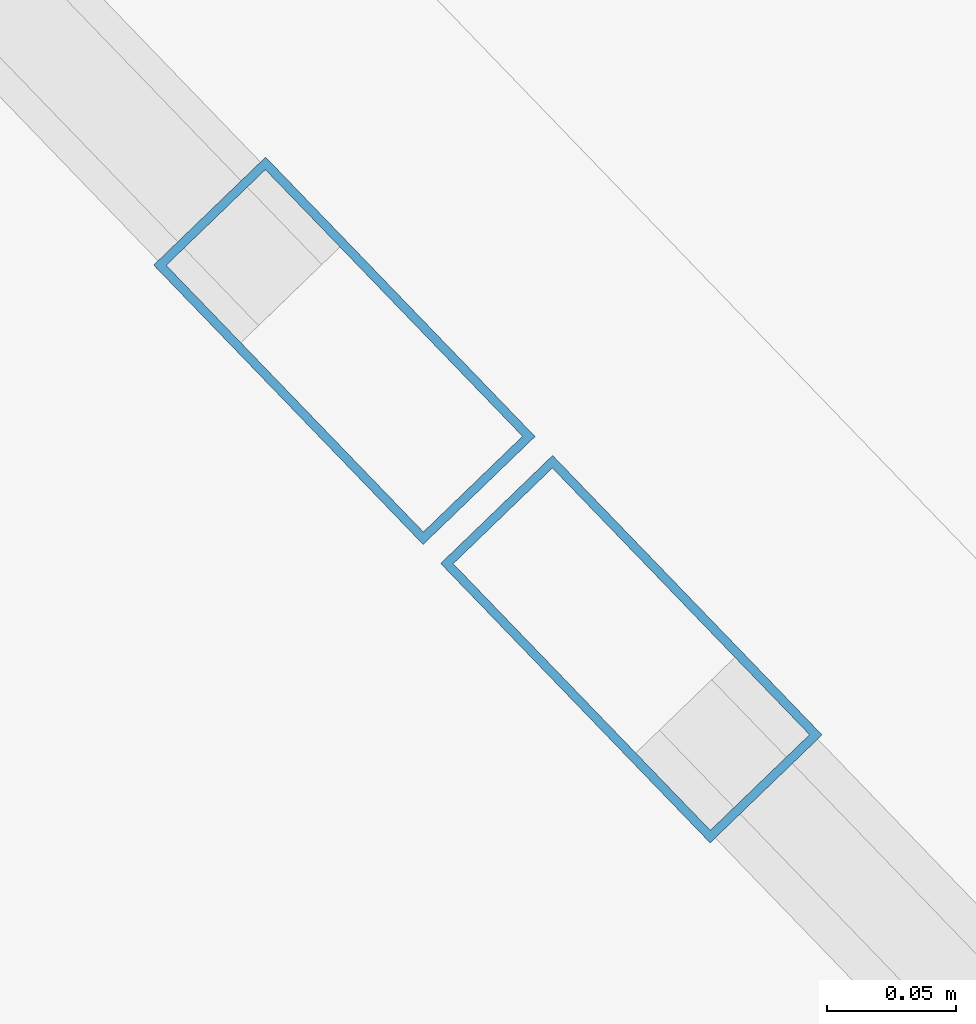
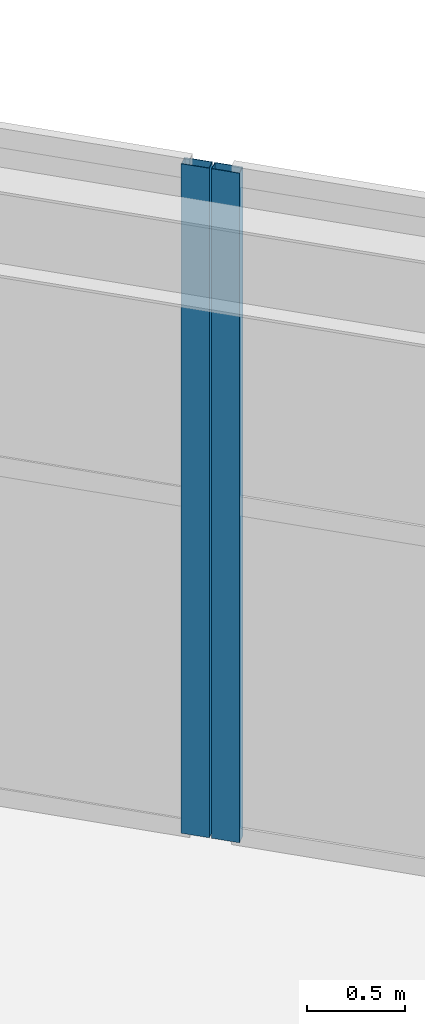
# One storey, part 88 of 126: 2 members, 2 elements without a shape of their own.
"""IFC4 building model written with IfcOpenShell, lengths in metres."""

from ifc_helpers import new_model, si_unit, direction, frame, origin, origin_2d, place, context, subcontext, project, spatial, hollow_rectangle, extrude, material, layer, layer_set, material_profile, profile_set, type_object, element, aggregate, save


model = new_model("IFC4")

# Units and contexts
model_context = context("Model", 3, precision=1e-05, world=origin(), true_north=direction((0.0, 1.0)))
body_context = subcontext(model_context, "Body", "Model", "MODEL_VIEW")
ifc_project = project(units=[si_unit("LENGTHUNIT", "METRE"), si_unit("AREAUNIT", "SQUARE_METRE"), si_unit("VOLUMEUNIT", "CUBIC_METRE"), si_unit("PLANEANGLEUNIT", "RADIAN"), si_unit("MASSUNIT", "GRAM", prefix="KILO")], contexts=[model_context])

# Site, building, storey
site_placement = place(None, origin())
site = spatial("IfcSite", under=ifc_project, at=site_placement, CompositionType="ELEMENT")
building_placement = place(site_placement, origin())
building = spatial("IfcBuilding", under=site, at=building_placement, Name="Kalgoora Escarpment Arena", CompositionType="ELEMENT")
storey_placement = place(building_placement, frame((0.0, 0.0, 18.89990234375)))
storey = spatial("IfcBuildingStorey", under=building, at=storey_placement, Name="L04", CompositionType="ELEMENT", Elevation=18.89990234375)

# Curtain wall, member
ifc_material_1 = material(Name=" Champagne anodised aluminium & double-glazed low-E", Category="aluminium")
ifc_layer_1 = layer(ifc_material_1, 0.154052734375)
ifc_layer_set_1 = layer_set([ifc_layer_1], Name="CW-UNIT-16")
curtain_wall_type_1 = type_object("IfcCurtainWallType", Name="CW-UNIT-16", PredefinedType="NOTDEFINED", material=ifc_layer_set_1)
curtain_wall_1_placement = place(storey_placement, origin())
curtain_wall_1 = element("IfcCurtainWall", 1, at=curtain_wall_1_placement, inside=storey, type_object=curtain_wall_type_1, Name="L04 unitised facade curtain wall 175", PredefinedType="NOTDEFINED")
ifc_material_2 = material(Name="Anodised aluminium 6063-T6", Category="aluminium")
ifc_material_profile = material_profile(ifc_material_2, hollow_rectangle(XDim=0.06005859375, YDim=0.14990234375, WallThickness=0.00341796875, at=origin_2d()))
ifc_profile_set = profile_set([ifc_material_profile], Name="Anodised aluminium 6063-T6")
member_type = type_object("IfcMemberType", Name="MEM-CW-MULL-150", PredefinedType="MULLION", material=ifc_profile_set)
member_1_placement = place(storey_placement, frame((149.20556640625, 98.739013671875, 0.02001953125), z_axis=(0.0, 0.0, 1.0), x_axis=(0.719777208849, 0.694205135116, 0.0)))
member_1 = element("IfcMember", 2, at=member_1_placement, type_object=member_type, Name="CW-16 mullion 2", PredefinedType="MULLION", context=body_context, shape_type="SweptSolid", body=[
    extrude(hollow_rectangle(XDim=0.06005859375, YDim=0.14990234375, WallThickness=0.00341796875, at=origin_2d()), origin(), (0.0, 0.0, 1.0), 4.150146484375),
])
aggregate(curtain_wall_1, [member_1])

ifc_material_3 = material(Name=" Champagne anodised aluminium & double-glazed low-E", Category="aluminium")
ifc_layer_2 = layer(ifc_material_3, 0.157958984375)
ifc_layer_set_2 = layer_set([ifc_layer_2], Name="CW-UNIT-17")
curtain_wall_type_2 = type_object("IfcCurtainWallType", Name="CW-UNIT-17", PredefinedType="NOTDEFINED", material=ifc_layer_set_2)
curtain_wall_2_placement = place(storey_placement, origin())
curtain_wall_2 = element("IfcCurtainWall", 3, at=curtain_wall_2_placement, inside=storey, type_object=curtain_wall_type_2, Name="L04 unitised facade curtain wall 176", PredefinedType="NOTDEFINED")
member_2_placement = place(storey_placement, frame((149.31640625, 98.623779296875, 0.02001953125), z_axis=(0.0, 0.0, 1.0), x_axis=(0.719777208849, 0.694205135116, 0.0)))
member_2 = element("IfcMember", 4, at=member_2_placement, type_object=member_type, Name="CW-17 mullion 1", PredefinedType="MULLION", context=body_context, shape_type="SweptSolid", body=[
    extrude(hollow_rectangle(XDim=0.06005859375, YDim=0.14990234375, WallThickness=0.00341796875, at=origin_2d()), origin(), (0.0, 0.0, 1.0), 4.150146484375),
])
aggregate(curtain_wall_2, [member_2])

save(model, "model.ifc")
